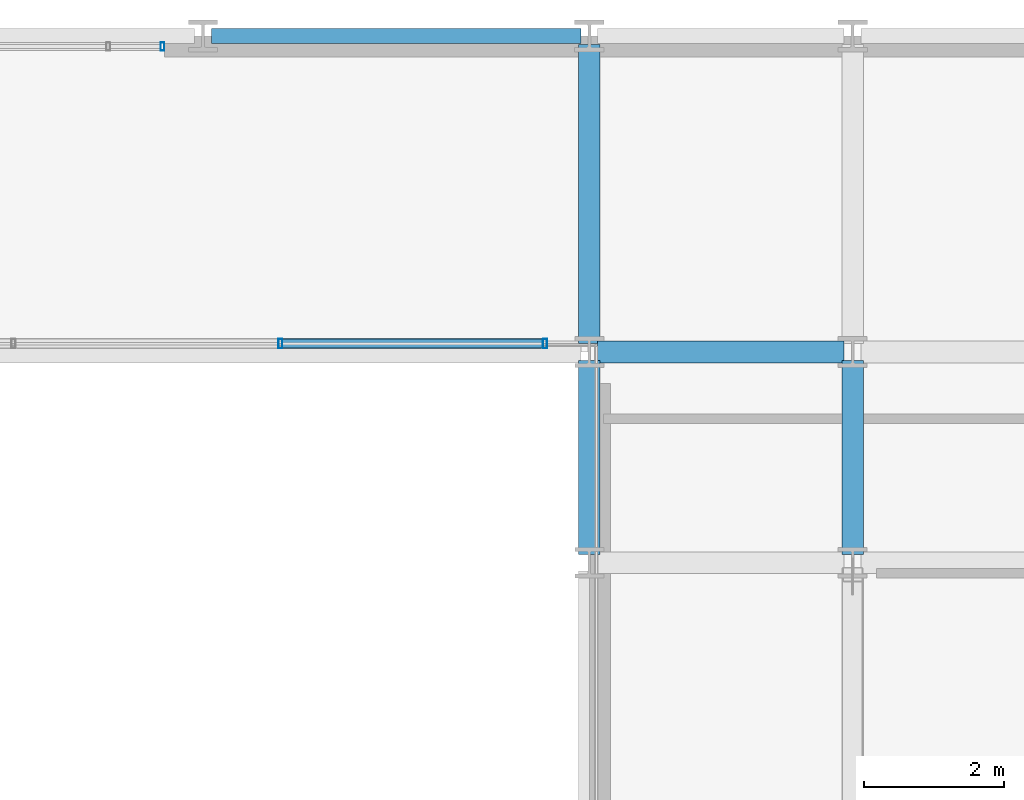
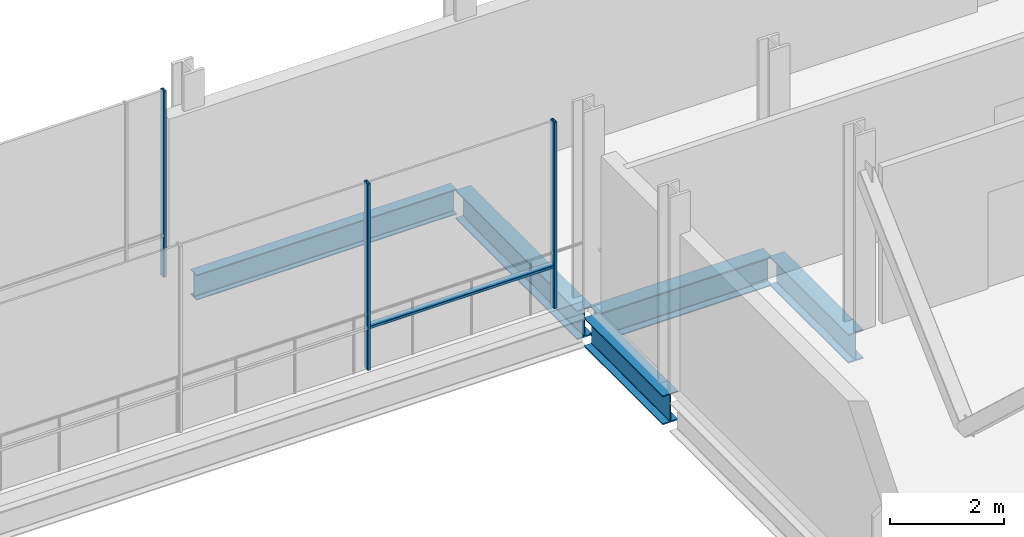
# One storey, part 19 of 32: 5 beams, 4 members, 2 elements without a shape of their own.
"""IFC4 building model written with IfcOpenShell, lengths in metres."""

from ifc_helpers import new_model, si_unit, direction, frame, origin, origin_2d, place, context, subcontext, project, spatial, hollow_rectangle, i_section, extrude, material, layer, layer_set, material_profile, profile_set, type_object, element, aggregate, save


model = new_model("IFC4")

# Units and contexts
model_context = context("Model", 3, precision=1e-05, world=origin(), true_north=direction((0.0, 1.0)))
body_context = subcontext(model_context, "Body", "Model", "MODEL_VIEW")
ifc_project = project(units=[si_unit("LENGTHUNIT", "METRE"), si_unit("AREAUNIT", "SQUARE_METRE"), si_unit("VOLUMEUNIT", "CUBIC_METRE"), si_unit("PLANEANGLEUNIT", "RADIAN"), si_unit("MASSUNIT", "GRAM", prefix="KILO")], contexts=[model_context])

# Site, building, storey
site_placement = place(None, origin())
site = spatial("IfcSite", under=ifc_project, at=site_placement, CompositionType="ELEMENT")
building_placement = place(site_placement, origin())
building = spatial("IfcBuilding", under=site, at=building_placement, Name="Brevholm Reach", CompositionType="ELEMENT")
storey_placement = place(building_placement, frame((0.0, 0.0, 96.199951171875)))
storey = spatial("IfcBuildingStorey", under=building, at=storey_placement, Name="L28", CompositionType="ELEMENT", Elevation=96.199951171875)

# Beams
ifc_material_1 = material(Name="Structural Steel S355J2", Category="steel")
ifc_material_profile_1 = material_profile(ifc_material_1, i_section(OverallWidth=0.210693359375, OverallDepth=0.53955078125, WebThickness=0.01171875, FlangeThickness=0.018798828125, FilletRadius=0.0126953125, at=origin_2d()), Name="UKB 533x210x109")
ifc_profile_set_1 = profile_set([ifc_material_profile_1], Name="Structural Steel S355J2")
beam_type_1 = type_object("IfcBeamType", Name="BM-SP539", PredefinedType="SPANDREL", material=ifc_profile_set_1)
beam_1_placement = place(storey_placement, frame((32.8701171875, 31.0, -0.52978515625), z_axis=(1.0, 0.0, 0.0), x_axis=(0.0, 1.0, 0.0)))
element("IfcBeam", 1, at=beam_1_placement, inside=storey, type_object=beam_type_1, Name="L28 SP-01B Framing Beam", PredefinedType="SPANDREL", context=body_context, shape_type="SweptSolid", body=[
    extrude(i_section(OverallWidth=0.210693359375, OverallDepth=0.53955078125, WebThickness=0.01171875, FlangeThickness=0.018798828125, FilletRadius=0.0126953125, at=origin_2d()), origin(), (0.0, 0.0, 1.0), 5.259765625),
])
ifc_material_2 = material(Name="Structural Steel S355J2", Category="steel")
ifc_material_profile_2 = material_profile(ifc_material_2, i_section(OverallWidth=0.30712890625, OverallDepth=0.6201171875, WebThickness=0.01416015625, FlangeThickness=0.023681640625, FilletRadius=0.0166015625, at=origin_2d()), Name="UKB 610x305x179")
ifc_profile_set_2 = profile_set([ifc_material_profile_2], Name="Structural Steel S355J2")
beam_type_2 = type_object("IfcBeamType", Name="BM-UKB610H", PredefinedType="USERDEFINED", material=ifc_profile_set_2)
beam_2_placement = place(storey_placement, frame((38.3701171875, 26.5, -0.570068359375), z_axis=(1.0, 0.0, 0.0), x_axis=(0.0, 1.0, 0.0)))
element("IfcBeam", 2, at=beam_2_placement, inside=storey, type_object=beam_type_2, Name="L28 G-06 Framing Beam", ObjectType="GIRDER", PredefinedType="USERDEFINED", context=body_context, shape_type="SweptSolid", body=[
    extrude(i_section(OverallWidth=0.30712890625, OverallDepth=0.6201171875, WebThickness=0.01416015625, FlangeThickness=0.023681640625, FilletRadius=0.0166015625, at=origin_2d()), origin(), (0.0, 0.0, 1.0), 3.509765625),
])
beam_3_placement = place(storey_placement, frame((38.25, 23.6201171875, -0.570068359375), z_axis=(0.0, 1.0, 0.0), x_axis=(-1.0, 0.0, 0.0)))
element("IfcBeam", 3, at=beam_3_placement, inside=storey, type_object=beam_type_2, Name="L28 G-06 Framing Beam", ObjectType="GIRDER", PredefinedType="USERDEFINED", context=body_context, shape_type="SweptSolid", body=[
    extrude(i_section(OverallWidth=0.30712890625, OverallDepth=0.6201171875, WebThickness=0.01416015625, FlangeThickness=0.023681640625, FilletRadius=0.0166015625, at=origin_2d()), origin(), (0.0, 0.0, 1.0), 2.759765625),
])
beam_4_placement = place(storey_placement, frame((38.25, 26.6201171875, -0.570068359375), z_axis=(0.0, 1.0, 0.0), x_axis=(-1.0, 0.0, 0.0)))
element("IfcBeam", 4, at=beam_4_placement, inside=storey, type_object=beam_type_2, Name="L28 G-06 Framing Beam", ObjectType="GIRDER", PredefinedType="USERDEFINED", context=body_context, shape_type="SweptSolid", body=[
    extrude(i_section(OverallWidth=0.30712890625, OverallDepth=0.6201171875, WebThickness=0.01416015625, FlangeThickness=0.023681640625, FilletRadius=0.0166015625, at=origin_2d()), origin(), (0.0, 0.0, 1.0), 4.259765625),
])
beam_5_placement = place(storey_placement, frame((42.0, 23.6201171875, -0.570068359375), z_axis=(0.0, 1.0, 0.0), x_axis=(-1.0, 0.0, 0.0)))
element("IfcBeam", 5, at=beam_5_placement, inside=storey, type_object=beam_type_2, Name="L28 G-06 Framing Beam", ObjectType="GIRDER", PredefinedType="USERDEFINED", context=body_context, shape_type="SweptSolid", body=[
    extrude(i_section(OverallWidth=0.30712890625, OverallDepth=0.6201171875, WebThickness=0.01416015625, FlangeThickness=0.023681640625, FilletRadius=0.0166015625, at=origin_2d()), origin(), (0.0, 0.0, 1.0), 2.759765625),
])

# Curtain wall, member
ifc_material_3 = material(Name="Dark Anodised Aluminium 6063-T6 and Solar-Control Glass", Category="aluminium")
ifc_layer_1 = layer(ifc_material_3, 0.1201171875)
ifc_layer_set_1 = layer_set([ifc_layer_1], Name="Dark Anodised Aluminium 6063-T6 and Solar-Control Glass")
curtain_wall_type_1 = type_object("IfcCurtainWallType", Name="CW-06", PredefinedType="NOTDEFINED", material=ifc_layer_set_1)
curtain_wall_1_placement = place(storey_placement, origin())
curtain_wall_1 = element("IfcCurtainWall", 6, at=curtain_wall_1_placement, inside=storey, type_object=curtain_wall_type_1, Name="L28 Curtain Wall CW-06", PredefinedType="NOTDEFINED")
ifc_material_4 = material(Name="Dark Anodised Aluminium 6063-T6", Category="aluminium")
ifc_material_profile_3 = material_profile(ifc_material_4, hollow_rectangle(XDim=0.054931640625, YDim=0.1201171875, WallThickness=0.00390625, InnerFilletRadius=0.00390625, OuterFilletRadius=0.008056640625, at=origin_2d()), Name="RHS 120x55x4")
ifc_profile_set_3 = profile_set([ifc_material_profile_3], Name="Dark Anodised Aluminium 6063-T6")
member_type_1 = type_object("IfcMemberType", Name="CWM-120", PredefinedType="MULLION", material=ifc_profile_set_3)
member_1_placement = place(storey_placement, frame((32.172607421875, 30.85009765625, 0.0), z_axis=(0.0, 0.0, 1.0), x_axis=(1.0, 0.0, 0.0)))
member_1 = element("IfcMember", 7, at=member_1_placement, type_object=member_type_1, Name="CM-120 Mullion 3", PredefinedType="MULLION", context=body_context, shape_type="SweptSolid", body=[
    extrude(hollow_rectangle(XDim=0.054931640625, YDim=0.1201171875, WallThickness=0.00390625, InnerFilletRadius=0.00390625, OuterFilletRadius=0.008056640625, at=origin_2d()), origin(), (0.0, 0.0, 1.0), 3.97998046875),
])
aggregate(curtain_wall_1, [member_1])

# Curtain wall, members
ifc_material_5 = material(Name="Dark Anodised Aluminium 6063-T6 and Solar-Control Glass", Category="aluminium")
ifc_layer_2 = layer(ifc_material_5, 0.139892578125)
ifc_layer_set_2 = layer_set([ifc_layer_2], Name="Dark Anodised Aluminium 6063-T6 and Solar-Control Glass")
curtain_wall_type_2 = type_object("IfcCurtainWallType", Name="CW-02", PredefinedType="NOTDEFINED", material=ifc_layer_set_2)
curtain_wall_2_placement = place(storey_placement, origin())
curtain_wall_2 = element("IfcCurtainWall", 8, at=curtain_wall_2_placement, inside=storey, type_object=curtain_wall_type_2, Name="L28 Curtain Wall CW-02", PredefinedType="NOTDEFINED")
ifc_material_6 = material(Name="Dark Anodised Aluminium 6063-T6", Category="aluminium")
ifc_material_profile_4 = material_profile(ifc_material_6, hollow_rectangle(XDim=0.06005859375, YDim=0.139892578125, WallThickness=0.0048828125, InnerFilletRadius=0.0048828125, OuterFilletRadius=0.010009765625, at=origin_2d()), Name="RHS 140x60x5")
ifc_profile_set_4 = profile_set([ifc_material_profile_4], Name="Dark Anodised Aluminium 6063-T6")
member_type_2 = type_object("IfcMemberType", Name="CWM-140", PredefinedType="MULLION", material=ifc_profile_set_4)
member_2_placement = place(storey_placement, frame((37.6201171875, 26.6201171875, 0.0), z_axis=(0.0, 0.0, 1.0), x_axis=(-1.0, 0.0, 0.0)))
member_2 = element("IfcMember", 9, at=member_2_placement, type_object=member_type_2, Name="CM-140 Mullion 1", PredefinedType="MULLION", context=body_context, shape_type="SweptSolid", body=[
    extrude(hollow_rectangle(XDim=0.06005859375, YDim=0.139892578125, WallThickness=0.0048828125, InnerFilletRadius=0.0048828125, OuterFilletRadius=0.010009765625, at=origin_2d()), origin(), (0.0, 0.0, 1.0), 3.97998046875),
])
member_3_placement = place(storey_placement, frame((33.85009765625, 26.6201171875, 0.0), z_axis=(0.0, 0.0, 1.0), x_axis=(-1.0, 0.0, 0.0)))
member_3 = element("IfcMember", 10, at=member_3_placement, type_object=member_type_2, Name="CM-140 Mullion 2", PredefinedType="MULLION", context=body_context, shape_type="SweptSolid", body=[
    extrude(hollow_rectangle(XDim=0.06005859375, YDim=0.139892578125, WallThickness=0.0048828125, InnerFilletRadius=0.0048828125, OuterFilletRadius=0.010009765625, at=origin_2d()), origin(), (0.0, 0.0, 1.0), 3.97998046875),
])
ifc_material_7 = material(Name="Dark Anodised Aluminium 6063-T6", Category="aluminium")
ifc_material_profile_5 = material_profile(ifc_material_7, hollow_rectangle(XDim=0.06005859375, YDim=0.139892578125, WallThickness=0.0048828125, InnerFilletRadius=0.0048828125, OuterFilletRadius=0.010009765625, at=origin_2d()), Name="RHS 140x60x5")
ifc_profile_set_5 = profile_set([ifc_material_profile_5], Name="Dark Anodised Aluminium 6063-T6")
member_type_3 = type_object("IfcMemberType", Name="CWT-140", PredefinedType="NOTDEFINED", material=ifc_profile_set_5)
member_4_placement = place(storey_placement, frame((37.590087890625, 26.6201171875, 0.900146484375), z_axis=(-1.0, 0.0, 0.0), x_axis=(0.0, 0.0, 1.0)))
member_4 = element("IfcMember", 11, at=member_4_placement, type_object=member_type_3, Name="CT-140 Transom 1.1", ObjectType="TRANSOM", PredefinedType="USERDEFINED", context=body_context, shape_type="SweptSolid", body=[
    extrude(hollow_rectangle(XDim=0.06005859375, YDim=0.139892578125, WallThickness=0.0048828125, InnerFilletRadius=0.0048828125, OuterFilletRadius=0.010009765625, at=origin_2d()), origin(), (0.0, 0.0, 1.0), 3.710205078125),
])
aggregate(curtain_wall_2, [member_2, member_3, member_4])

save(model, "model.ifc")
